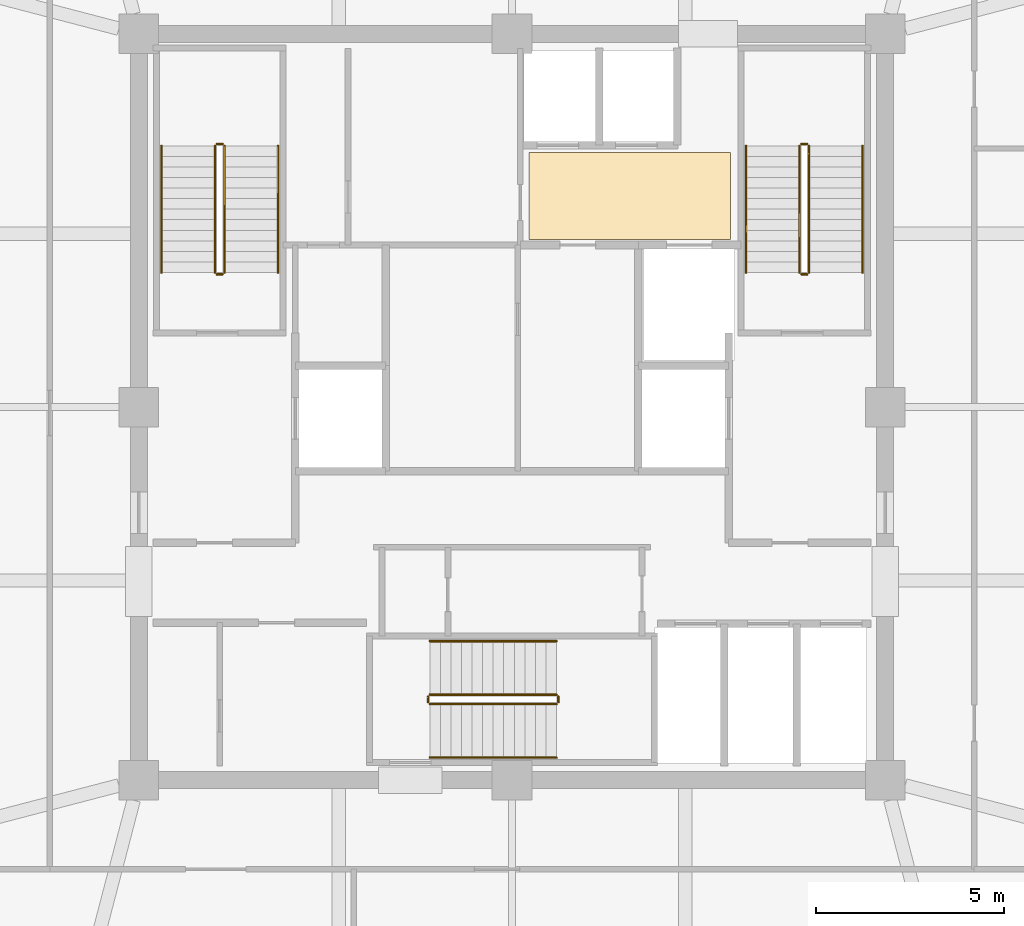
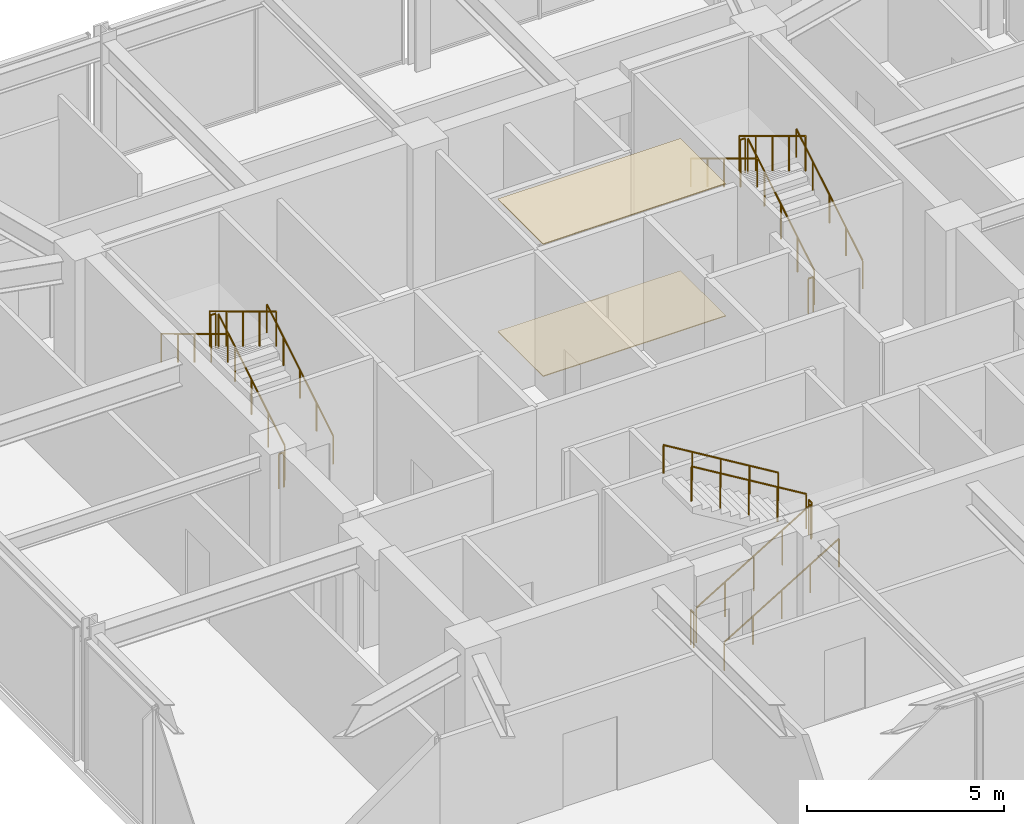
# One storey, part 26 of 26: 18 railings, 2 coverings.
"""IFC4 building model written with IfcOpenShell, lengths in metres."""

from ifc_helpers import new_model, si_unit, direction, frame, origin, origin_2d, place, context, subcontext, project, spatial, polyline, circle, outline, extrude, material, layer, layer_set, type_object, element, save


model = new_model("IFC4")

# Units and contexts
model_context = context("Model", 3, precision=1e-05, world=origin(), true_north=direction((0.0, 1.0)))
body_context = subcontext(model_context, "Body", "Model", "MODEL_VIEW")
ifc_project = project(units=[si_unit("LENGTHUNIT", "METRE"), si_unit("AREAUNIT", "SQUARE_METRE"), si_unit("VOLUMEUNIT", "CUBIC_METRE"), si_unit("PLANEANGLEUNIT", "RADIAN"), si_unit("MASSUNIT", "GRAM", prefix="KILO")], contexts=[model_context])

# Site, building, storey
site_placement = place(None, origin())
site = spatial("IfcSite", under=ifc_project, at=site_placement, CompositionType="ELEMENT")
building_placement = place(site_placement, origin())
building = spatial("IfcBuilding", under=site, at=building_placement, Name="Kolvaren Belvedere", CompositionType="ELEMENT")
storey_placement = place(building_placement, frame((0.0, 0.0, 258.39990234375)))
storey = spatial("IfcBuildingStorey", under=building, at=storey_placement, Name="L75", CompositionType="ELEMENT", Elevation=258.39990234375)

# Coverings
ifc_material_1 = material(Name="Acoustic perforated gypsum board", Category="gypsum")
ifc_layer_1 = layer(ifc_material_1, 0.02490234375)
ifc_layer_set_1 = layer_set([ifc_layer_1], Name="Acoustic perforated gypsum board")
covering_type_1 = type_object("IfcCoveringType", Name="COV-CEIL-GYP", PredefinedType="CEILING", material=ifc_layer_set_1)
covering_1_placement = place(storey_placement, frame((0.0, 0.0, 4.09521484375)))
element("IfcCovering", 1, at=covering_1_placement, inside=storey, type_object=covering_type_1, Name="L75 Lift Lobby Acoustic Baffle Ceiling", PredefinedType="CEILING", context=body_context, shape_type="SweptSolid", body=[
    extrude(outline(polyline([(0.449951171875, 4.449951171875), (5.800048828125, 4.449951171875), (5.800048828125, 6.75), (0.449951171875, 6.75), (0.449951171875, 4.449951171875)])), origin(), (0.0, 0.0, 1.0), 0.02490234375),
])
ifc_material_2 = material(Name="Honed Cascade basalt stone", Category="masonry")
ifc_layer_2 = layer(ifc_material_2, 0.02490234375)
ifc_layer_set_2 = layer_set([ifc_layer_2], Name="Honed Cascade basalt stone")
covering_type_2 = type_object("IfcCoveringType", Name="COV-FLR-STONE", PredefinedType="FLOORING", material=ifc_layer_set_2)
covering_2_placement = place(storey_placement, origin())
element("IfcCovering", 2, at=covering_2_placement, inside=storey, type_object=covering_type_2, Name="L75 Lift Lobby Finish Flooring", PredefinedType="FLOORING", context=body_context, shape_type="SweptSolid", body=[
    extrude(outline(polyline([(0.449951171875, 4.449951171875), (5.800048828125, 4.449951171875), (5.800048828125, 6.75), (0.449951171875, 6.75), (0.449951171875, 4.449951171875)])), origin(), (0.0, 0.0, 1.0), 0.025146484375),
])

# Railings
ifc_material_3 = material(Name="Brushed stainless-steel handrail", Category="steel")
railing_type_1 = type_object("IfcRailingType", Name="RL-HANDRAIL-920", PredefinedType="HANDRAIL", material=ifc_material_3)
railing_1_placement = place(storey_placement, frame((-6.2099609375, 3.570068359375, 0.16943359375)))
element("IfcRailing", 3, at=railing_1_placement, inside=storey, type_object=railing_type_1, Name="L75 ST-1 stair handrail 1", PredefinedType="HANDRAIL", context=body_context, shape_type="SweptSolid", body=[
    extrude(circle(Radius=0.02392578125, at=origin_2d()), frame((0.0, 0.0, 0.8759765625), z_axis=(0.0, 0.855820338506, 0.51727318527), x_axis=(-1.0, 0.0, 0.0)), (0.0, 0.0, 1.0), 3.92578125),
    extrude(circle(Radius=0.02099609375, at=origin_2d()), origin(), (0.0, 0.0, 1.0), 0.851806640625),
    extrude(circle(Radius=0.02099609375, at=origin_2d()), frame((0.0, 0.83984375, 0.5078125)), (0.0, 0.0, 1.0), 0.851806640625),
    extrude(circle(Radius=0.02099609375, at=origin_2d()), frame((0.0, 1.679931640625, 1.015380859375)), (0.0, 0.0, 1.0), 0.851806640625),
    extrude(circle(Radius=0.02099609375, at=origin_2d()), frame((0.0, 2.52001953125, 1.52294921875)), (0.0, 0.0, 1.0), 0.851806640625),
    extrude(circle(Radius=0.02099609375, at=origin_2d()), frame((0.0, 3.35986328125, 2.03076171875)), (0.0, 0.0, 1.0), 0.851806640625),
])
railing_2_placement = place(storey_placement, frame((-9.300048828125, 6.929931640625, 2.369384765625)))
element("IfcRailing", 4, at=railing_2_placement, inside=storey, type_object=railing_type_1, Name="L75 ST-1 stair handrail 2", PredefinedType="HANDRAIL", context=body_context, shape_type="SweptSolid", body=[
    extrude(circle(Radius=0.02392578125, at=origin_2d()), frame((0.0, 0.0, 0.8759765625), z_axis=(0.0, -0.855820338506, 0.51727318527), x_axis=(1.0, 0.0, 0.0)), (0.0, 0.0, 1.0), 3.92578125),
    extrude(circle(Radius=0.02099609375, at=origin_2d()), origin(), (0.0, 0.0, 1.0), 0.851806640625),
    extrude(circle(Radius=0.02099609375, at=origin_2d()), frame((0.0, -0.83984375, 0.5078125)), (0.0, 0.0, 1.0), 0.851806640625),
    extrude(circle(Radius=0.02099609375, at=origin_2d()), frame((0.0, -1.679931640625, 1.015380859375)), (0.0, 0.0, 1.0), 0.851806640625),
    extrude(circle(Radius=0.02099609375, at=origin_2d()), frame((0.0, -2.52001953125, 1.52294921875)), (0.0, 0.0, 1.0), 0.851806640625),
    extrude(circle(Radius=0.02099609375, at=origin_2d()), frame((0.0, -3.35986328125, 2.03076171875)), (0.0, 0.0, 1.0), 0.851806640625),
])
railing_3_placement = place(storey_placement, frame((9.300048828125, 3.570068359375, 0.16943359375)))
element("IfcRailing", 5, at=railing_3_placement, inside=storey, type_object=railing_type_1, Name="L75 ST-2 stair handrail 1", PredefinedType="HANDRAIL", context=body_context, shape_type="SweptSolid", body=[
    extrude(circle(Radius=0.02392578125, at=origin_2d()), frame((0.0, 0.0, 0.8759765625), z_axis=(0.0, 0.855820338506, 0.51727318527), x_axis=(-1.0, 0.0, 0.0)), (0.0, 0.0, 1.0), 3.92578125),
    extrude(circle(Radius=0.02099609375, at=origin_2d()), origin(), (0.0, 0.0, 1.0), 0.851806640625),
    extrude(circle(Radius=0.02099609375, at=origin_2d()), frame((0.0, 0.83984375, 0.5078125)), (0.0, 0.0, 1.0), 0.851806640625),
    extrude(circle(Radius=0.02099609375, at=origin_2d()), frame((0.0, 1.679931640625, 1.015380859375)), (0.0, 0.0, 1.0), 0.851806640625),
    extrude(circle(Radius=0.02099609375, at=origin_2d()), frame((0.0, 2.52001953125, 1.52294921875)), (0.0, 0.0, 1.0), 0.851806640625),
    extrude(circle(Radius=0.02099609375, at=origin_2d()), frame((0.0, 3.35986328125, 2.03076171875)), (0.0, 0.0, 1.0), 0.851806640625),
])
railing_4_placement = place(storey_placement, frame((6.2099609375, 6.929931640625, 2.369384765625)))
element("IfcRailing", 6, at=railing_4_placement, inside=storey, type_object=railing_type_1, Name="L75 ST-2 stair handrail 2", PredefinedType="HANDRAIL", context=body_context, shape_type="SweptSolid", body=[
    extrude(circle(Radius=0.02392578125, at=origin_2d()), frame((0.0, 0.0, 0.8759765625), z_axis=(0.0, -0.855820338506, 0.51727318527), x_axis=(1.0, 0.0, 0.0)), (0.0, 0.0, 1.0), 3.92578125),
    extrude(circle(Radius=0.02099609375, at=origin_2d()), origin(), (0.0, 0.0, 1.0), 0.851806640625),
    extrude(circle(Radius=0.02099609375, at=origin_2d()), frame((0.0, -0.83984375, 0.5078125)), (0.0, 0.0, 1.0), 0.851806640625),
    extrude(circle(Radius=0.02099609375, at=origin_2d()), frame((0.0, -1.679931640625, 1.015380859375)), (0.0, 0.0, 1.0), 0.851806640625),
    extrude(circle(Radius=0.02099609375, at=origin_2d()), frame((0.0, -2.52001953125, 1.52294921875)), (0.0, 0.0, 1.0), 0.851806640625),
    extrude(circle(Radius=0.02099609375, at=origin_2d()), frame((0.0, -3.35986328125, 2.03076171875)), (0.0, 0.0, 1.0), 0.851806640625),
])
railing_5_placement = place(storey_placement, frame((-2.179931640625, -9.300048828125, 0.16943359375)))
element("IfcRailing", 7, at=railing_5_placement, inside=storey, type_object=railing_type_1, Name="L75 ST-3 stair handrail 1", PredefinedType="HANDRAIL", context=body_context, shape_type="SweptSolid", body=[
    extrude(circle(Radius=0.02392578125, at=origin_2d()), frame((0.0, 0.0, 0.8759765625), z_axis=(0.855820338506, 0.0, 0.51727318527), x_axis=(0.0, 1.0, 0.0)), (0.0, 0.0, 1.0), 3.92578125),
    extrude(circle(Radius=0.02099609375, at=origin_2d()), origin(), (0.0, 0.0, 1.0), 0.851806640625),
    extrude(circle(Radius=0.02099609375, at=origin_2d()), frame((0.83984375, 0.0, 0.5078125)), (0.0, 0.0, 1.0), 0.851806640625),
    extrude(circle(Radius=0.02099609375, at=origin_2d()), frame((1.679931640625, 0.0, 1.015380859375)), (0.0, 0.0, 1.0), 0.851806640625),
    extrude(circle(Radius=0.02099609375, at=origin_2d()), frame((2.52001953125, 0.0, 1.52294921875)), (0.0, 0.0, 1.0), 0.851806640625),
    extrude(circle(Radius=0.02099609375, at=origin_2d()), frame((3.35986328125, 0.0, 2.03076171875)), (0.0, 0.0, 1.0), 0.851806640625),
])
railing_6_placement = place(storey_placement, frame((1.179931640625, -6.2099609375, 2.369384765625)))
element("IfcRailing", 8, at=railing_6_placement, inside=storey, type_object=railing_type_1, Name="L75 ST-3 stair handrail 2", PredefinedType="HANDRAIL", context=body_context, shape_type="SweptSolid", body=[
    extrude(circle(Radius=0.02392578125, at=origin_2d()), frame((0.0, 0.0, 0.8759765625), z_axis=(-0.855820338506, 0.0, 0.51727318527), x_axis=(0.0, -1.0, 0.0)), (0.0, 0.0, 1.0), 3.92578125),
    extrude(circle(Radius=0.02099609375, at=origin_2d()), origin(), (0.0, 0.0, 1.0), 0.851806640625),
    extrude(circle(Radius=0.02099609375, at=origin_2d()), frame((-0.83984375, 0.0, 0.5078125)), (0.0, 0.0, 1.0), 0.851806640625),
    extrude(circle(Radius=0.02099609375, at=origin_2d()), frame((-1.679931640625, 0.0, 1.015380859375)), (0.0, 0.0, 1.0), 0.851806640625),
    extrude(circle(Radius=0.02099609375, at=origin_2d()), frame((-2.52001953125, 0.0, 1.52294921875)), (0.0, 0.0, 1.0), 0.851806640625),
    extrude(circle(Radius=0.02099609375, at=origin_2d()), frame((-3.35986328125, 0.0, 2.03076171875)), (0.0, 0.0, 1.0), 0.851806640625),
])
ifc_material_4 = material(Name="Painted tubular steel stair guard", Category="steel")
railing_type_2 = type_object("IfcRailingType", Name="RL-STGUARD-1100", PredefinedType="GUARDRAIL", material=ifc_material_4)
railing_7_placement = place(storey_placement, frame((-7.6298828125, 3.570068359375, 0.16943359375)))
element("IfcRailing", 9, at=railing_7_placement, inside=storey, type_object=railing_type_2, Name="L75 ST-1 stair guard 1", PredefinedType="GUARDRAIL", context=body_context, shape_type="SweptSolid", body=[
    extrude(circle(Radius=0.02392578125, at=origin_2d()), frame((0.0, 0.0, 1.076171875), z_axis=(0.0, 0.855820338506, 0.51727318527), x_axis=(-1.0, 0.0, 0.0)), (0.0, 0.0, 1.0), 3.92578125),
    extrude(circle(Radius=0.02099609375, at=origin_2d()), origin(), (0.0, 0.0, 1.0), 1.052001953125),
    extrude(circle(Radius=0.02099609375, at=origin_2d()), frame((0.0, 0.83984375, 0.5078125)), (0.0, 0.0, 1.0), 1.052001953125),
    extrude(circle(Radius=0.02099609375, at=origin_2d()), frame((0.0, 1.679931640625, 1.015380859375)), (0.0, 0.0, 1.0), 1.052001953125),
    extrude(circle(Radius=0.02099609375, at=origin_2d()), frame((0.0, 2.52001953125, 1.52294921875)), (0.0, 0.0, 1.0), 1.052001953125),
    extrude(circle(Radius=0.02099609375, at=origin_2d()), frame((0.0, 3.35986328125, 2.03076171875)), (0.0, 0.0, 1.0), 1.052001953125),
])
railing_8_placement = place(storey_placement, frame((-7.679931640625, 6.97998046875, 2.2001953125)))
element("IfcRailing", 10, at=railing_8_placement, inside=storey, type_object=railing_type_2, Name="L75 ST-1 stair guard 2", PredefinedType="GUARDRAIL", context=body_context, shape_type="SweptSolid", body=[
    extrude(circle(Radius=0.02392578125, at=origin_2d()), frame((0.0, 0.0, 1.076171875), z_axis=(-1.0, 0.0, 0.0), x_axis=(0.0, -1.0, 0.0)), (0.0, 0.0, 1.0), 0.150146484375),
    extrude(circle(Radius=0.02099609375, at=origin_2d()), origin(), (0.0, 0.0, 1.0), 1.052001953125),
    extrude(circle(Radius=0.02099609375, at=origin_2d()), frame((-0.150146484375, 0.0, 0.0)), (0.0, 0.0, 1.0), 1.052001953125),
])
railing_9_placement = place(storey_placement, frame((-7.8798828125, 6.929931640625, 2.369384765625)))
element("IfcRailing", 11, at=railing_9_placement, inside=storey, type_object=railing_type_2, Name="L75 ST-1 stair guard 3", PredefinedType="GUARDRAIL", context=body_context, shape_type="SweptSolid", body=[
    extrude(circle(Radius=0.02392578125, at=origin_2d()), frame((0.0, 0.0, 1.076171875), z_axis=(0.0, -0.855820338506, 0.51727318527), x_axis=(1.0, 0.0, 0.0)), (0.0, 0.0, 1.0), 3.92578125),
    extrude(circle(Radius=0.02099609375, at=origin_2d()), origin(), (0.0, 0.0, 1.0), 1.052001953125),
    extrude(circle(Radius=0.02099609375, at=origin_2d()), frame((0.0, -0.83984375, 0.5078125)), (0.0, 0.0, 1.0), 1.052001953125),
    extrude(circle(Radius=0.02099609375, at=origin_2d()), frame((0.0, -1.679931640625, 1.015380859375)), (0.0, 0.0, 1.0), 1.052001953125),
    extrude(circle(Radius=0.02099609375, at=origin_2d()), frame((0.0, -2.52001953125, 1.52294921875)), (0.0, 0.0, 1.0), 1.052001953125),
    extrude(circle(Radius=0.02099609375, at=origin_2d()), frame((0.0, -3.35986328125, 2.03076171875)), (0.0, 0.0, 1.0), 1.052001953125),
])
railing_10_placement = place(storey_placement, frame((-7.679931640625, 3.52001953125, 0.0)))
element("IfcRailing", 12, at=railing_10_placement, inside=storey, type_object=railing_type_2, Name="L75 ST-1 stair guard 4", PredefinedType="GUARDRAIL", context=body_context, shape_type="SweptSolid", body=[
    extrude(circle(Radius=0.02392578125, at=origin_2d()), frame((0.0, 0.0, 1.076171875), z_axis=(-1.0, 0.0, 0.0), x_axis=(0.0, -1.0, 0.0)), (0.0, 0.0, 1.0), 0.150146484375),
    extrude(circle(Radius=0.02099609375, at=origin_2d()), origin(), (0.0, 0.0, 1.0), 1.052001953125),
    extrude(circle(Radius=0.02099609375, at=origin_2d()), frame((-0.150146484375, 0.0, 0.0)), (0.0, 0.0, 1.0), 1.052001953125),
])
railing_11_placement = place(storey_placement, frame((7.8798828125, 3.570068359375, 0.16943359375)))
element("IfcRailing", 13, at=railing_11_placement, inside=storey, type_object=railing_type_2, Name="L75 ST-2 stair guard 1", PredefinedType="GUARDRAIL", context=body_context, shape_type="SweptSolid", body=[
    extrude(circle(Radius=0.02392578125, at=origin_2d()), frame((0.0, 0.0, 1.076171875), z_axis=(0.0, 0.855820338506, 0.51727318527), x_axis=(-1.0, 0.0, 0.0)), (0.0, 0.0, 1.0), 3.92578125),
    extrude(circle(Radius=0.02099609375, at=origin_2d()), origin(), (0.0, 0.0, 1.0), 1.052001953125),
    extrude(circle(Radius=0.02099609375, at=origin_2d()), frame((0.0, 0.83984375, 0.5078125)), (0.0, 0.0, 1.0), 1.052001953125),
    extrude(circle(Radius=0.02099609375, at=origin_2d()), frame((0.0, 1.679931640625, 1.015380859375)), (0.0, 0.0, 1.0), 1.052001953125),
    extrude(circle(Radius=0.02099609375, at=origin_2d()), frame((0.0, 2.52001953125, 1.52294921875)), (0.0, 0.0, 1.0), 1.052001953125),
    extrude(circle(Radius=0.02099609375, at=origin_2d()), frame((0.0, 3.35986328125, 2.03076171875)), (0.0, 0.0, 1.0), 1.052001953125),
])
railing_12_placement = place(storey_placement, frame((7.830078125, 6.97998046875, 2.2001953125)))
element("IfcRailing", 14, at=railing_12_placement, inside=storey, type_object=railing_type_2, Name="L75 ST-2 stair guard 2", PredefinedType="GUARDRAIL", context=body_context, shape_type="SweptSolid", body=[
    extrude(circle(Radius=0.02392578125, at=origin_2d()), frame((0.0, 0.0, 1.076171875), z_axis=(-1.0, 0.0, 0.0), x_axis=(0.0, -1.0, 0.0)), (0.0, 0.0, 1.0), 0.150146484375),
    extrude(circle(Radius=0.02099609375, at=origin_2d()), origin(), (0.0, 0.0, 1.0), 1.052001953125),
    extrude(circle(Radius=0.02099609375, at=origin_2d()), frame((-0.150146484375, 0.0, 0.0)), (0.0, 0.0, 1.0), 1.052001953125),
])
railing_13_placement = place(storey_placement, frame((7.6298828125, 6.929931640625, 2.369384765625)))
element("IfcRailing", 15, at=railing_13_placement, inside=storey, type_object=railing_type_2, Name="L75 ST-2 stair guard 3", PredefinedType="GUARDRAIL", context=body_context, shape_type="SweptSolid", body=[
    extrude(circle(Radius=0.02392578125, at=origin_2d()), frame((0.0, 0.0, 1.076171875), z_axis=(0.0, -0.855820338506, 0.51727318527), x_axis=(1.0, 0.0, 0.0)), (0.0, 0.0, 1.0), 3.92578125),
    extrude(circle(Radius=0.02099609375, at=origin_2d()), origin(), (0.0, 0.0, 1.0), 1.052001953125),
    extrude(circle(Radius=0.02099609375, at=origin_2d()), frame((0.0, -0.83984375, 0.5078125)), (0.0, 0.0, 1.0), 1.052001953125),
    extrude(circle(Radius=0.02099609375, at=origin_2d()), frame((0.0, -1.679931640625, 1.015380859375)), (0.0, 0.0, 1.0), 1.052001953125),
    extrude(circle(Radius=0.02099609375, at=origin_2d()), frame((0.0, -2.52001953125, 1.52294921875)), (0.0, 0.0, 1.0), 1.052001953125),
    extrude(circle(Radius=0.02099609375, at=origin_2d()), frame((0.0, -3.35986328125, 2.03076171875)), (0.0, 0.0, 1.0), 1.052001953125),
])
railing_14_placement = place(storey_placement, frame((7.830078125, 3.52001953125, 0.0)))
element("IfcRailing", 16, at=railing_14_placement, inside=storey, type_object=railing_type_2, Name="L75 ST-2 stair guard 4", PredefinedType="GUARDRAIL", context=body_context, shape_type="SweptSolid", body=[
    extrude(circle(Radius=0.02392578125, at=origin_2d()), frame((0.0, 0.0, 1.076171875), z_axis=(-1.0, 0.0, 0.0), x_axis=(0.0, -1.0, 0.0)), (0.0, 0.0, 1.0), 0.150146484375),
    extrude(circle(Radius=0.02099609375, at=origin_2d()), origin(), (0.0, 0.0, 1.0), 1.052001953125),
    extrude(circle(Radius=0.02099609375, at=origin_2d()), frame((-0.150146484375, 0.0, 0.0)), (0.0, 0.0, 1.0), 1.052001953125),
])
railing_15_placement = place(storey_placement, frame((-2.179931640625, -7.8798828125, 0.16943359375)))
element("IfcRailing", 17, at=railing_15_placement, inside=storey, type_object=railing_type_2, Name="L75 ST-3 stair guard 1", PredefinedType="GUARDRAIL", context=body_context, shape_type="SweptSolid", body=[
    extrude(circle(Radius=0.02392578125, at=origin_2d()), frame((0.0, 0.0, 1.076171875), z_axis=(0.855820338506, 0.0, 0.51727318527), x_axis=(0.0, 1.0, 0.0)), (0.0, 0.0, 1.0), 3.92578125),
    extrude(circle(Radius=0.02099609375, at=origin_2d()), origin(), (0.0, 0.0, 1.0), 1.052001953125),
    extrude(circle(Radius=0.02099609375, at=origin_2d()), frame((0.83984375, 0.0, 0.5078125)), (0.0, 0.0, 1.0), 1.052001953125),
    extrude(circle(Radius=0.02099609375, at=origin_2d()), frame((1.679931640625, 0.0, 1.015380859375)), (0.0, 0.0, 1.0), 1.052001953125),
    extrude(circle(Radius=0.02099609375, at=origin_2d()), frame((2.52001953125, 0.0, 1.52294921875)), (0.0, 0.0, 1.0), 1.052001953125),
    extrude(circle(Radius=0.02099609375, at=origin_2d()), frame((3.35986328125, 0.0, 2.03076171875)), (0.0, 0.0, 1.0), 1.052001953125),
])
railing_16_placement = place(storey_placement, frame((1.22998046875, -7.830078125, 2.2001953125)))
element("IfcRailing", 18, at=railing_16_placement, inside=storey, type_object=railing_type_2, Name="L75 ST-3 stair guard 2", PredefinedType="GUARDRAIL", context=body_context, shape_type="SweptSolid", body=[
    extrude(circle(Radius=0.02392578125, at=origin_2d()), frame((0.0, 0.0, 1.076171875), z_axis=(0.0, 1.0, 0.0), x_axis=(-1.0, 0.0, 0.0)), (0.0, 0.0, 1.0), 0.150146484375),
    extrude(circle(Radius=0.02099609375, at=origin_2d()), origin(), (0.0, 0.0, 1.0), 1.052001953125),
    extrude(circle(Radius=0.02099609375, at=origin_2d()), frame((0.0, 0.150146484375, 0.0)), (0.0, 0.0, 1.0), 1.052001953125),
])
railing_17_placement = place(storey_placement, frame((1.179931640625, -7.6298828125, 2.369384765625)))
element("IfcRailing", 19, at=railing_17_placement, inside=storey, type_object=railing_type_2, Name="L75 ST-3 stair guard 3", PredefinedType="GUARDRAIL", context=body_context, shape_type="SweptSolid", body=[
    extrude(circle(Radius=0.02392578125, at=origin_2d()), frame((0.0, 0.0, 1.076171875), z_axis=(-0.855820338506, 0.0, 0.51727318527), x_axis=(0.0, -1.0, 0.0)), (0.0, 0.0, 1.0), 3.92578125),
    extrude(circle(Radius=0.02099609375, at=origin_2d()), origin(), (0.0, 0.0, 1.0), 1.052001953125),
    extrude(circle(Radius=0.02099609375, at=origin_2d()), frame((-0.83984375, 0.0, 0.5078125)), (0.0, 0.0, 1.0), 1.052001953125),
    extrude(circle(Radius=0.02099609375, at=origin_2d()), frame((-1.679931640625, 0.0, 1.015380859375)), (0.0, 0.0, 1.0), 1.052001953125),
    extrude(circle(Radius=0.02099609375, at=origin_2d()), frame((-2.52001953125, 0.0, 1.52294921875)), (0.0, 0.0, 1.0), 1.052001953125),
    extrude(circle(Radius=0.02099609375, at=origin_2d()), frame((-3.35986328125, 0.0, 2.03076171875)), (0.0, 0.0, 1.0), 1.052001953125),
])
railing_18_placement = place(storey_placement, frame((-2.22998046875, -7.830078125, 0.0)))
element("IfcRailing", 20, at=railing_18_placement, inside=storey, type_object=railing_type_2, Name="L75 ST-3 stair guard 4", PredefinedType="GUARDRAIL", context=body_context, shape_type="SweptSolid", body=[
    extrude(circle(Radius=0.02392578125, at=origin_2d()), frame((0.0, 0.0, 1.076171875), z_axis=(0.0, 1.0, 0.0), x_axis=(-1.0, 0.0, 0.0)), (0.0, 0.0, 1.0), 0.150146484375),
    extrude(circle(Radius=0.02099609375, at=origin_2d()), origin(), (0.0, 0.0, 1.0), 1.052001953125),
    extrude(circle(Radius=0.02099609375, at=origin_2d()), frame((0.0, 0.150146484375, 0.0)), (0.0, 0.0, 1.0), 1.052001953125),
])

save(model, "model.ifc")
